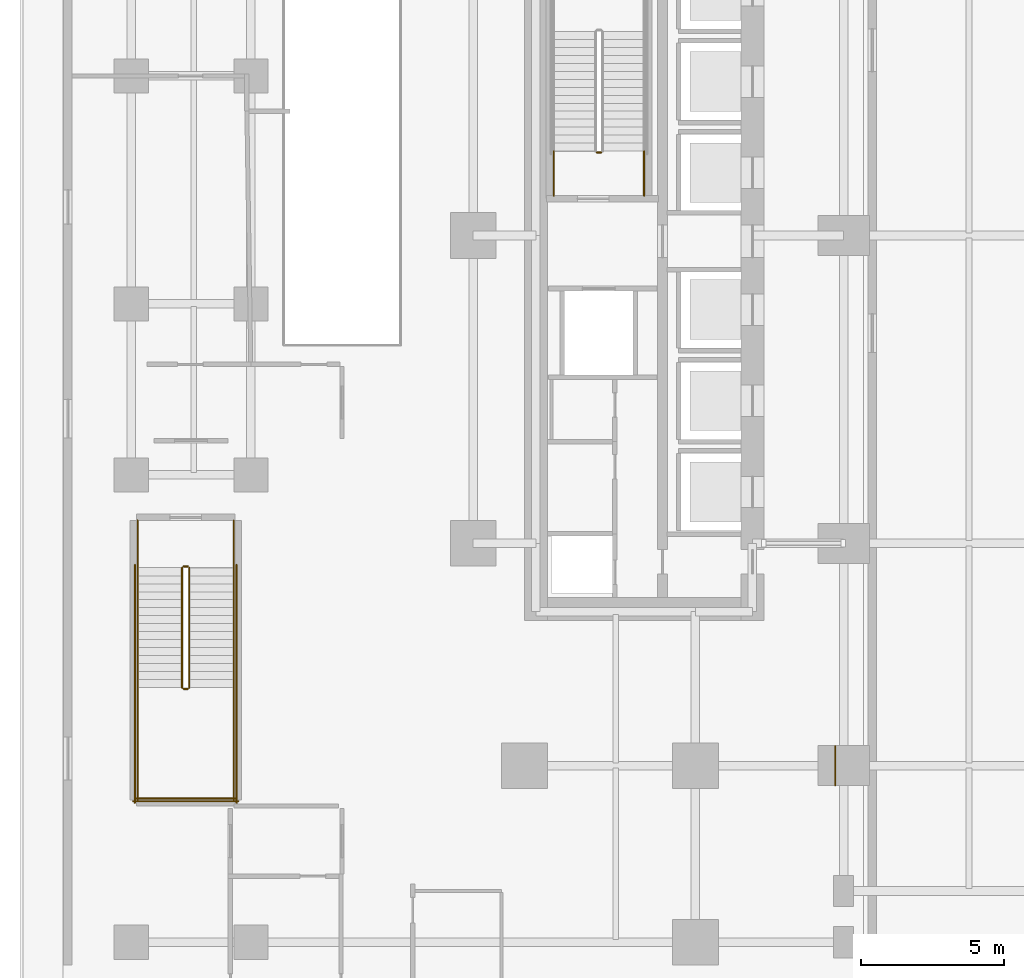
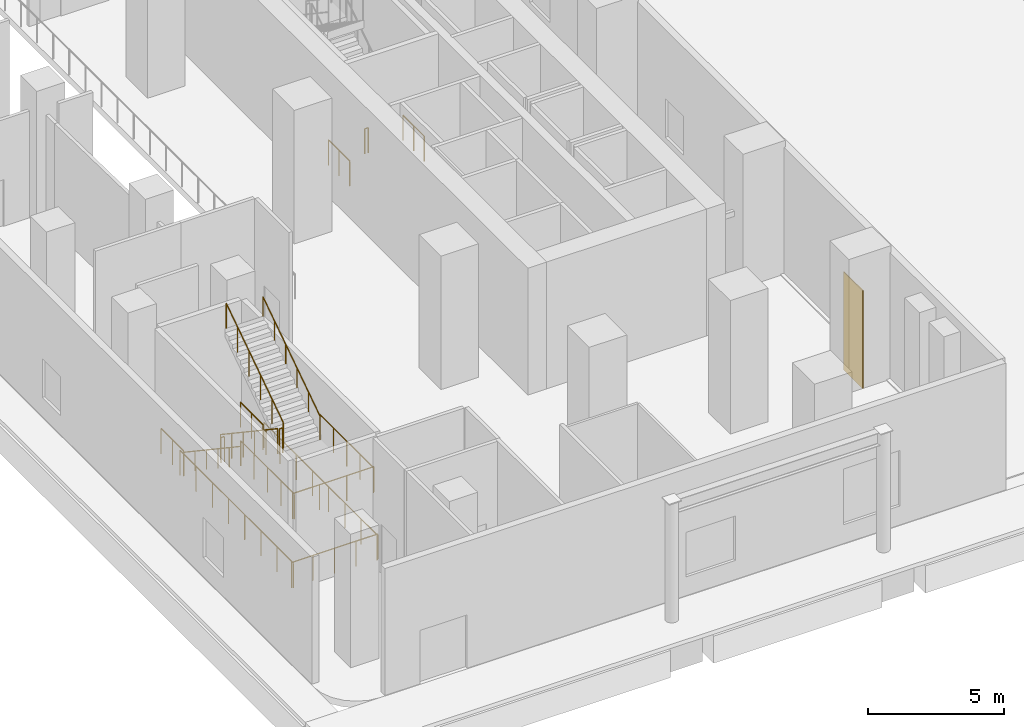
# One storey, part 17 of 22: 17 railings, 1 covering.
"""IFC4 building model written with IfcOpenShell, lengths in metres."""

from ifc_helpers import new_model, si_unit, direction, frame, origin, origin_2d, place, context, subcontext, project, spatial, rectangle, circle, extrude, material, layer, layer_set, type_object, element, save


model = new_model("IFC4")

# Units and contexts
model_context = context("Model", 3, precision=1e-05, world=origin(), true_north=direction((0.0, 1.0)))
body_context = subcontext(model_context, "Body", "Model", "MODEL_VIEW")
ifc_project = project(units=[si_unit("LENGTHUNIT", "METRE"), si_unit("AREAUNIT", "SQUARE_METRE"), si_unit("VOLUMEUNIT", "CUBIC_METRE"), si_unit("PLANEANGLEUNIT", "RADIAN"), si_unit("MASSUNIT", "GRAM", prefix="KILO")], contexts=[model_context])

# Site, building, storey
site_placement = place(None, origin())
site = spatial("IfcSite", under=ifc_project, at=site_placement, CompositionType="ELEMENT")
building_placement = place(site_placement, origin())
building = spatial("IfcBuilding", under=site, at=building_placement, Name="Khairoan Windgate Tower", CompositionType="ELEMENT")
storey_placement = place(building_placement, origin())
storey = spatial("IfcBuildingStorey", under=building, at=storey_placement, Name="L01", CompositionType="ELEMENT", Elevation=0.0)

# Covering
ifc_material_1 = material(Name="Anodised Bronze Aluminium 6063-T6", Category="aluminium")
ifc_layer = layer(ifc_material_1, 0.0400390625, Name="Anodised Bronze Aluminium 6063-T6")
ifc_layer_set = layer_set([ifc_layer], Name="Anodised Bronze Aluminium 6063-T6")
covering_type = type_object("IfcCoveringType", Name="Anodised Bronze Arch Pier Cladding", PredefinedType="CLADDING", material=ifc_layer_set)
covering_placement = place(storey_placement, frame((-9.5, -18.60009765625, 0.0), z_axis=(0.0, 0.0, 1.0), x_axis=(1.0, 0.0, 0.0)))
element("IfcCovering", 1, at=covering_placement, inside=storey, type_object=covering_type, Name="L01 Arch Pier Bronze Cladding 01", PredefinedType="CLADDING", context=body_context, shape_type="SweptSolid", body=[
    extrude(rectangle(XDim=0.0400390625, YDim=1.39990234375, at=origin_2d()), origin(), (0.0, 0.0, 1.0), 4.39990234375),
])

# Railings
ifc_material_2 = material(Name="Anodised Bronze Aluminium 6063-T6", Category="aluminium")
railing_type_1 = type_object("IfcRailingType", Name="Stair Wall Handrail SHR-900", PredefinedType="HANDRAIL", material=ifc_material_2)
railing_1_placement = place(storey_placement, frame((-33.969970703125, -11.659912109375, 0.1875)))
element("IfcRailing", 2, at=railing_1_placement, inside=storey, type_object=railing_type_1, Name="L01 ST4 stair handrail 1", PredefinedType="HANDRAIL", context=body_context, shape_type="SweptSolid", body=[
    extrude(circle(Radius=0.02392578125, at=origin_2d()), frame((0.0, 0.0, 0.8759765625), z_axis=(0.0, -0.830919138977, 0.55639319234), x_axis=(1.0, 0.0, 0.0)), (0.0, 0.0, 1.0), 5.054931640625),
    extrude(circle(Radius=0.02099609375, at=origin_2d()), origin(), (0.0, 0.0, 1.0), 0.851806640625),
    extrude(circle(Radius=0.02099609375, at=origin_2d()), frame((0.0, -0.840087890625, 0.5625)), (0.0, 0.0, 1.0), 0.851806640625),
    extrude(circle(Radius=0.02099609375, at=origin_2d()), frame((0.0, -1.68017578125, 1.125)), (0.0, 0.0, 1.0), 0.851806640625),
    extrude(circle(Radius=0.02099609375, at=origin_2d()), frame((0.0, -2.52001953125, 1.6875)), (0.0, 0.0, 1.0), 0.851806640625),
    extrude(circle(Radius=0.02099609375, at=origin_2d()), frame((0.0, -3.360107421875, 2.25)), (0.0, 0.0, 1.0), 0.851806640625),
    extrude(circle(Radius=0.02099609375, at=origin_2d()), frame((0.0, -4.2001953125, 2.8125)), (0.0, 0.0, 1.0), 0.851806640625),
])
railing_2_placement = place(storey_placement, frame((-30.60009765625, -15.860107421875, 3.1875)))
element("IfcRailing", 3, at=railing_2_placement, inside=storey, type_object=railing_type_1, Name="L01 ST4 stair handrail 2", PredefinedType="HANDRAIL", context=body_context, shape_type="SweptSolid", body=[
    extrude(circle(Radius=0.02392578125, at=origin_2d()), frame((0.0, 0.0, 0.8759765625), z_axis=(0.0, 0.830919138977, 0.55639319234), x_axis=(-1.0, 0.0, 0.0)), (0.0, 0.0, 1.0), 5.054931640625),
    extrude(circle(Radius=0.02099609375, at=origin_2d()), origin(), (0.0, 0.0, 1.0), 0.851806640625),
    extrude(circle(Radius=0.02099609375, at=origin_2d()), frame((0.0, 0.840087890625, 0.5625)), (0.0, 0.0, 1.0), 0.851806640625),
    extrude(circle(Radius=0.02099609375, at=origin_2d()), frame((0.0, 1.68017578125, 1.125)), (0.0, 0.0, 1.0), 0.851806640625),
    extrude(circle(Radius=0.02099609375, at=origin_2d()), frame((0.0, 2.52001953125, 1.6875)), (0.0, 0.0, 1.0), 0.851806640625),
    extrude(circle(Radius=0.02099609375, at=origin_2d()), frame((0.0, 3.360107421875, 2.25)), (0.0, 0.0, 1.0), 0.851806640625),
    extrude(circle(Radius=0.02099609375, at=origin_2d()), frame((0.0, 4.2001953125, 2.8125)), (0.0, 0.0, 1.0), 0.851806640625),
])
ifc_material_3 = material(Name="Steel S355", Category="steel")
railing_type_2 = type_object("IfcRailingType", Name="Stairwell Safety Guardrail SGR-1150", PredefinedType="GUARDRAIL", material=ifc_material_3)
railing_3_placement = place(storey_placement, frame((-17.7099609375, 2.909912109375, 0.0)))
element("IfcRailing", 4, at=railing_3_placement, inside=storey, type_object=railing_type_2, Name="L01 ST2 stair guard 7", PredefinedType="GUARDRAIL", context=body_context, shape_type="SweptSolid", body=[
    extrude(circle(Radius=0.02392578125, at=origin_2d()), frame((0.0, 0.0, 1.1259765625), z_axis=(-1.0, 0.0, 0.0), x_axis=(0.0, -1.0, 0.0)), (0.0, 0.0, 1.0), 0.150146484375),
    extrude(circle(Radius=0.02099609375, at=origin_2d()), origin(), (0.0, 0.0, 1.0), 1.101806640625),
    extrude(circle(Radius=0.02099609375, at=origin_2d()), frame((-0.150146484375, 0.0, 0.0)), (0.0, 0.0, 1.0), 1.101806640625),
])
for number, where, name in (
    (5, (-16.199951171875, 1.39990234375, 0.0), "L01 ST2 stair guard 8"),
    (6, (-19.3701171875, 1.39990234375, 0.0), "L01 ST2 stair guard 9"),
):
    element("IfcRailing", number, at=place(storey_placement, frame(where)), inside=storey, type_object=railing_type_2, Name=name, PredefinedType="GUARDRAIL", context=body_context, shape_type="SweptSolid", body=[
        extrude(circle(Radius=0.02392578125, at=origin_2d()), frame((0.0, 0.0, 1.1259765625), z_axis=(0.0, 1.0, 0.0), x_axis=(-1.0, 0.0, 0.0)), (0.0, 0.0, 1.0), 1.56005859375),
        extrude(circle(Radius=0.02099609375, at=origin_2d()), origin(), (0.0, 0.0, 1.0), 1.101806640625),
        extrude(circle(Radius=0.02099609375, at=origin_2d()), frame((0.0, 0.780029296875, 0.0)), (0.0, 0.0, 1.0), 1.101806640625),
        extrude(circle(Radius=0.02099609375, at=origin_2d()), frame((0.0, 1.56005859375, 0.0)), (0.0, 0.0, 1.0), 1.101806640625),
    ])
railing_4_placement = place(storey_placement, frame((-32.409912109375, -11.659912109375, 0.1875)))
element("IfcRailing", 7, at=railing_4_placement, inside=storey, type_object=railing_type_2, Name="L01 ST4 stair guard 1", PredefinedType="GUARDRAIL", context=body_context, shape_type="SweptSolid", body=[
    extrude(circle(Radius=0.02392578125, at=origin_2d()), frame((0.0, 0.0, 1.1259765625), z_axis=(0.0, -0.830919138977, 0.55639319234), x_axis=(1.0, 0.0, 0.0)), (0.0, 0.0, 1.0), 5.054931640625),
    extrude(circle(Radius=0.02099609375, at=origin_2d()), origin(), (0.0, 0.0, 1.0), 1.101806640625),
    extrude(circle(Radius=0.02099609375, at=origin_2d()), frame((0.0, -0.840087890625, 0.5625)), (0.0, 0.0, 1.0), 1.101806640625),
    extrude(circle(Radius=0.02099609375, at=origin_2d()), frame((0.0, -1.68017578125, 1.125)), (0.0, 0.0, 1.0), 1.101806640625),
    extrude(circle(Radius=0.02099609375, at=origin_2d()), frame((0.0, -2.52001953125, 1.6875)), (0.0, 0.0, 1.0), 1.101806640625),
    extrude(circle(Radius=0.02099609375, at=origin_2d()), frame((0.0, -3.360107421875, 2.25)), (0.0, 0.0, 1.0), 1.101806640625),
    extrude(circle(Radius=0.02099609375, at=origin_2d()), frame((0.0, -4.2001953125, 2.8125)), (0.0, 0.0, 1.0), 1.101806640625),
])
railing_5_placement = place(storey_placement, frame((-32.360107421875, -15.909912109375, 3.0)))
element("IfcRailing", 8, at=railing_5_placement, inside=storey, type_object=railing_type_2, Name="L01 ST4 stair guard 2", PredefinedType="GUARDRAIL", context=body_context, shape_type="SweptSolid", body=[
    extrude(circle(Radius=0.02392578125, at=origin_2d()), frame((0.0, 0.0, 1.1259765625), z_axis=(1.0, 0.0, 0.0), x_axis=(0.0, 1.0, 0.0)), (0.0, 0.0, 1.0), 0.150146484375),
    extrude(circle(Radius=0.02099609375, at=origin_2d()), origin(), (0.0, 0.0, 1.0), 1.101806640625),
    extrude(circle(Radius=0.02099609375, at=origin_2d()), frame((0.150146484375, 0.0, 0.0)), (0.0, 0.0, 1.0), 1.101806640625),
])
for number, where, name in (
    (9, (-33.969970703125, -15.860107421875, 3.0), "L01 ST4 stair guard 3"),
    (10, (-30.60009765625, -15.860107421875, 3.0), "L01 ST4 stair guard 4"),
):
    element("IfcRailing", number, at=place(storey_placement, frame(where)), inside=storey, type_object=railing_type_2, Name=name, PredefinedType="GUARDRAIL", context=body_context, shape_type="SweptSolid", body=[
        extrude(circle(Radius=0.02392578125, at=origin_2d()), frame((0.0, 0.0, 1.1259765625), z_axis=(0.0, -1.0, 0.0), x_axis=(1.0, 0.0, 0.0)), (0.0, 0.0, 1.0), 3.93994140625),
        extrude(circle(Radius=0.02099609375, at=origin_2d()), origin(), (0.0, 0.0, 1.0), 1.101806640625),
        extrude(circle(Radius=0.02099609375, at=origin_2d()), frame((0.0, -0.98486328125, 0.0)), (0.0, 0.0, 1.0), 1.101806640625),
        extrude(circle(Radius=0.02099609375, at=origin_2d()), frame((0.0, -1.969970703125, 0.0)), (0.0, 0.0, 1.0), 1.101806640625),
        extrude(circle(Radius=0.02099609375, at=origin_2d()), frame((0.0, -2.955078125, 0.0)), (0.0, 0.0, 1.0), 1.101806640625),
        extrude(circle(Radius=0.02099609375, at=origin_2d()), frame((0.0, -3.93994140625, 0.0)), (0.0, 0.0, 1.0), 1.101806640625),
    ])
railing_6_placement = place(storey_placement, frame((-34.02001953125, -19.75, 3.0)))
element("IfcRailing", 11, at=railing_6_placement, inside=storey, type_object=railing_type_2, Name="L01 ST4 stair guard 5", PredefinedType="GUARDRAIL", context=body_context, shape_type="SweptSolid", body=[
    extrude(circle(Radius=0.02392578125, at=origin_2d()), frame((0.0, 0.0, 1.1259765625), z_axis=(1.0, 0.0, 0.0), x_axis=(0.0, 1.0, 0.0)), (0.0, 0.0, 1.0), 3.469970703125),
    extrude(circle(Radius=0.02099609375, at=origin_2d()), origin(), (0.0, 0.0, 1.0), 1.101806640625),
    extrude(circle(Radius=0.02099609375, at=origin_2d()), frame((1.15673828125, 0.0, 0.0)), (0.0, 0.0, 1.0), 1.101806640625),
    extrude(circle(Radius=0.02099609375, at=origin_2d()), frame((2.313232421875, 0.0, 0.0)), (0.0, 0.0, 1.0), 1.101806640625),
    extrude(circle(Radius=0.02099609375, at=origin_2d()), frame((3.469970703125, 0.0, 0.0)), (0.0, 0.0, 1.0), 1.101806640625),
])
railing_7_placement = place(storey_placement, frame((-32.159912109375, -15.860107421875, 3.1875)))
element("IfcRailing", 12, at=railing_7_placement, inside=storey, type_object=railing_type_2, Name="L01 ST4 stair guard 6", PredefinedType="GUARDRAIL", context=body_context, shape_type="SweptSolid", body=[
    extrude(circle(Radius=0.02392578125, at=origin_2d()), frame((0.0, 0.0, 1.1259765625), z_axis=(0.0, 0.830919138977, 0.55639319234), x_axis=(-1.0, 0.0, 0.0)), (0.0, 0.0, 1.0), 5.054931640625),
    extrude(circle(Radius=0.02099609375, at=origin_2d()), origin(), (0.0, 0.0, 1.0), 1.101806640625),
    extrude(circle(Radius=0.02099609375, at=origin_2d()), frame((0.0, 0.840087890625, 0.5625)), (0.0, 0.0, 1.0), 1.101806640625),
    extrude(circle(Radius=0.02099609375, at=origin_2d()), frame((0.0, 1.68017578125, 1.125)), (0.0, 0.0, 1.0), 1.101806640625),
    extrude(circle(Radius=0.02099609375, at=origin_2d()), frame((0.0, 2.52001953125, 1.6875)), (0.0, 0.0, 1.0), 1.101806640625),
    extrude(circle(Radius=0.02099609375, at=origin_2d()), frame((0.0, 3.360107421875, 2.25)), (0.0, 0.0, 1.0), 1.101806640625),
    extrude(circle(Radius=0.02099609375, at=origin_2d()), frame((0.0, 4.2001953125, 2.8125)), (0.0, 0.0, 1.0), 1.101806640625),
])
railing_8_placement = place(storey_placement, frame((-32.360107421875, -11.610107421875, 0.0)))
element("IfcRailing", 13, at=railing_8_placement, inside=storey, type_object=railing_type_2, Name="L01 ST4 stair guard 7", PredefinedType="GUARDRAIL", context=body_context, shape_type="SweptSolid", body=[
    extrude(circle(Radius=0.02392578125, at=origin_2d()), frame((0.0, 0.0, 1.1259765625), z_axis=(1.0, 0.0, 0.0), x_axis=(0.0, 1.0, 0.0)), (0.0, 0.0, 1.0), 0.150146484375),
    extrude(circle(Radius=0.02099609375, at=origin_2d()), origin(), (0.0, 0.0, 1.0), 1.101806640625),
    extrude(circle(Radius=0.02099609375, at=origin_2d()), frame((0.150146484375, 0.0, 0.0)), (0.0, 0.0, 1.0), 1.101806640625),
])
for number, where, name in (
    (14, (-33.969970703125, -10.0, 0.0), "L01 ST4 stair guard 8"),
    (15, (-30.60009765625, -10.0, 0.0), "L01 ST4 stair guard 9"),
):
    element("IfcRailing", number, at=place(storey_placement, frame(where)), inside=storey, type_object=railing_type_2, Name=name, PredefinedType="GUARDRAIL", context=body_context, shape_type="SweptSolid", body=[
        extrude(circle(Radius=0.02392578125, at=origin_2d()), frame((0.0, 0.0, 1.1259765625), z_axis=(0.0, -1.0, 0.0), x_axis=(1.0, 0.0, 0.0)), (0.0, 0.0, 1.0), 1.659912109375),
        extrude(circle(Radius=0.02099609375, at=origin_2d()), origin(), (0.0, 0.0, 1.0), 1.101806640625),
        extrude(circle(Radius=0.02099609375, at=origin_2d()), frame((0.0, -0.830078125, 0.0)), (0.0, 0.0, 1.0), 1.101806640625),
        extrude(circle(Radius=0.02099609375, at=origin_2d()), frame((0.0, -1.659912109375, 0.0)), (0.0, 0.0, 1.0), 1.101806640625),
    ])
for number, where, name in (
    (16, (-34.070068359375, -11.56005859375, 0.0), "L01 ST4 stair guard 10"),
    (17, (-30.5, -11.56005859375, 0.0), "L01 ST4 stair guard 11"),
):
    element("IfcRailing", number, at=place(storey_placement, frame(where)), inside=storey, type_object=railing_type_2, Name=name, PredefinedType="GUARDRAIL", context=body_context, shape_type="SweptSolid", body=[
        extrude(circle(Radius=0.02392578125, at=origin_2d()), frame((0.0, 0.0, 1.1259765625), z_axis=(0.0, -1.0, 0.0), x_axis=(1.0, 0.0, 0.0)), (0.0, 0.0, 1.0), 8.33984375),
        extrude(circle(Radius=0.02099609375, at=origin_2d()), origin(), (0.0, 0.0, 1.0), 1.101806640625),
        extrude(circle(Radius=0.02099609375, at=origin_2d()), frame((0.0, -1.19140625, 0.0)), (0.0, 0.0, 1.0), 1.101806640625),
        extrude(circle(Radius=0.02099609375, at=origin_2d()), frame((0.0, -2.3828125, 0.0)), (0.0, 0.0, 1.0), 1.101806640625),
        extrude(circle(Radius=0.02099609375, at=origin_2d()), frame((0.0, -3.57421875, 0.0)), (0.0, 0.0, 1.0), 1.101806640625),
        extrude(circle(Radius=0.02099609375, at=origin_2d()), frame((0.0, -4.765625, 0.0)), (0.0, 0.0, 1.0), 1.101806640625),
        extrude(circle(Radius=0.02099609375, at=origin_2d()), frame((0.0, -5.95703125, 0.0)), (0.0, 0.0, 1.0), 1.101806640625),
        extrude(circle(Radius=0.02099609375, at=origin_2d()), frame((0.0, -7.1484375, 0.0)), (0.0, 0.0, 1.0), 1.101806640625),
        extrude(circle(Radius=0.02099609375, at=origin_2d()), frame((0.0, -8.33984375, 0.0)), (0.0, 0.0, 1.0), 1.101806640625),
    ])
railing_9_placement = place(storey_placement, frame((-34.1201171875, -19.85009765625, 0.0)))
element("IfcRailing", 18, at=railing_9_placement, inside=storey, type_object=railing_type_2, Name="L01 ST4 stair guard 12", PredefinedType="GUARDRAIL", context=body_context, shape_type="SweptSolid", body=[
    extrude(circle(Radius=0.02392578125, at=origin_2d()), frame((0.0, 0.0, 1.1259765625), z_axis=(1.0, 0.0, 0.0), x_axis=(0.0, 1.0, 0.0)), (0.0, 0.0, 1.0), 3.670166015625),
    extrude(circle(Radius=0.02099609375, at=origin_2d()), origin(), (0.0, 0.0, 1.0), 1.101806640625),
    extrude(circle(Radius=0.02099609375, at=origin_2d()), frame((0.91748046875, 0.0, 0.0)), (0.0, 0.0, 1.0), 1.101806640625),
    extrude(circle(Radius=0.02099609375, at=origin_2d()), frame((1.8349609375, 0.0, 0.0)), (0.0, 0.0, 1.0), 1.101806640625),
    extrude(circle(Radius=0.02099609375, at=origin_2d()), frame((2.752685546875, 0.0, 0.0)), (0.0, 0.0, 1.0), 1.101806640625),
    extrude(circle(Radius=0.02099609375, at=origin_2d()), frame((3.670166015625, 0.0, 0.0)), (0.0, 0.0, 1.0), 1.101806640625),
])

save(model, "model.ifc")
